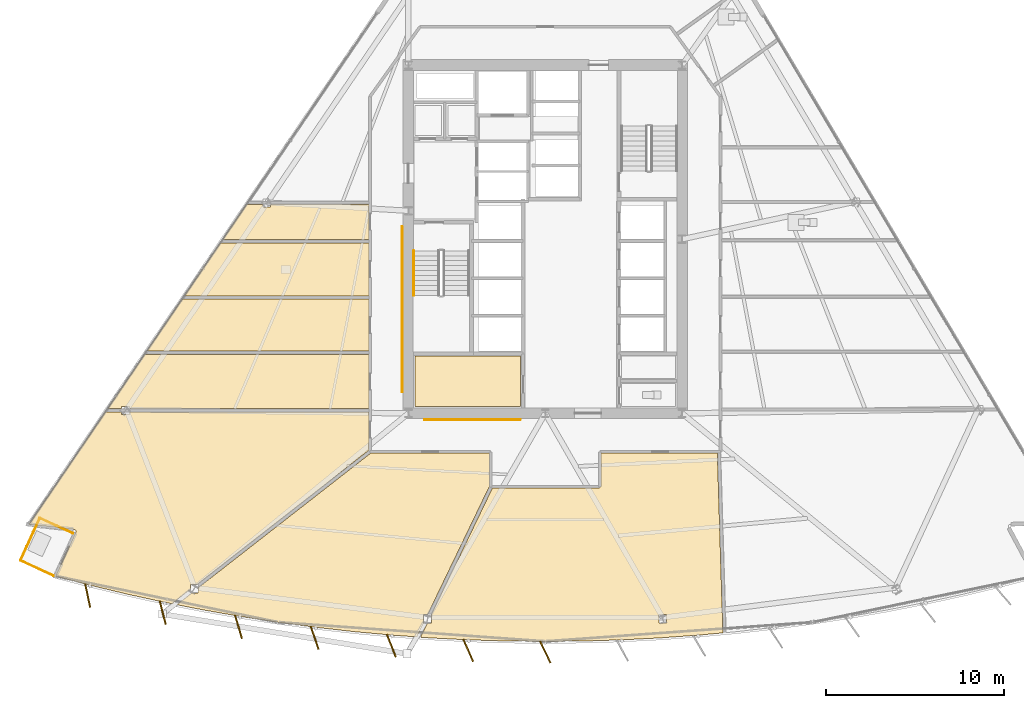
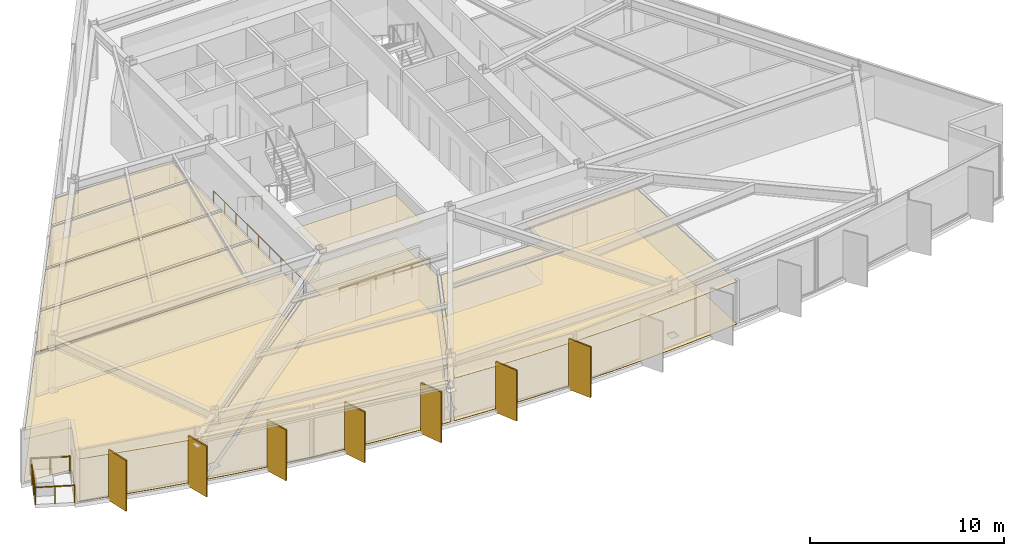
# One storey, part 13 of 17: 16 coverings, 7 shading devices, 6 railings.
"""IFC4 building model written with IfcOpenShell, lengths in metres."""

from ifc_helpers import new_model, si_unit, direction, frame, origin, origin_2d, place, context, subcontext, project, spatial, polyline, rectangle, circle, outline, extrude, material, layer, layer_set, type_object, element, save


model = new_model("IFC4")

# Units and contexts
model_context = context("Model", 3, precision=1e-05, world=origin(), true_north=direction((0.0, 1.0)))
body_context = subcontext(model_context, "Body", "Model", "MODEL_VIEW")
ifc_project = project(units=[si_unit("LENGTHUNIT", "METRE"), si_unit("AREAUNIT", "SQUARE_METRE"), si_unit("VOLUMEUNIT", "CUBIC_METRE"), si_unit("PLANEANGLEUNIT", "RADIAN"), si_unit("MASSUNIT", "GRAM", prefix="KILO")], contexts=[model_context])

# Site, building, storey
site_placement = place(None, origin())
site = spatial("IfcSite", under=ifc_project, at=site_placement, CompositionType="ELEMENT")
building_placement = place(site_placement, origin())
building = spatial("IfcBuilding", under=site, at=building_placement, Name="Savorim Split Tower", CompositionType="ELEMENT")
storey_placement = place(building_placement, frame((0.0, 0.0, 55.199951171875)))
storey = spatial("IfcBuildingStorey", under=building, at=storey_placement, Name="L14", CompositionType="ELEMENT", Elevation=55.199951171875)

# Coverings
ifc_material_1 = material(Name="Mineral Fibre Acoustic Ceiling")
ifc_layer_1 = layer(ifc_material_1, 0.02490234375)
ifc_layer_set_1 = layer_set([ifc_layer_1], Name="COV-CEIL-25")
covering_type_1 = type_object("IfcCoveringType", Name="COV-CEIL-25", PredefinedType="CEILING", material=ifc_layer_set_1)
covering_1_placement = place(storey_placement, frame((0.0, 0.0, 2.670166015625)))
element("IfcCovering", 1, at=covering_1_placement, inside=storey, type_object=covering_type_1, Name="L14 Housekeeping Store Acoustic Ceiling", PredefinedType="CEILING", context=body_context, shape_type="SweptSolid", body=[
    extrude(outline(polyline([(-7.320068359375, -6.179931640625), (-7.320068359375, -9.02001953125), (-1.3798828125, -9.02001953125), (-1.3798828125, -6.179931640625), (-7.320068359375, -6.179931640625)])), origin(), (0.0, 0.0, 1.0), 0.02490234375),
])
covering_2_placement = place(storey_placement, frame((0.0, 0.0, 2.670166015625)))
element("IfcCovering", 2, at=covering_2_placement, inside=storey, type_object=covering_type_1, Name="L14 Shared Kitchen Acoustic Ceiling", PredefinedType="CEILING", context=body_context, shape_type="SweptSolid", body=[
    extrude(outline(polyline([(-18.27001953125, 0.198974609375), (-20.301025390625, -2.78662109375), (-9.919921875, -2.78662109375), (-9.919921875, 0.198974609375), (-18.27001953125, 0.198974609375)])), origin(), (0.0, 0.0, 1.0), 0.02490234375),
])
covering_3_placement = place(storey_placement, frame((0.0, 0.0, 2.670166015625)))
element("IfcCovering", 3, at=covering_3_placement, inside=storey, type_object=covering_type_1, Name="L14 Quiet Study Room Acoustic Ceiling", PredefinedType="CEILING", context=body_context, shape_type="SweptSolid", body=[
    extrude(outline(polyline([(-20.43017578125, -2.9765625), (-22.4130859375, -5.89111328125), (-9.919921875, -5.89111328125), (-9.919921875, -2.9765625), (-20.43017578125, -2.9765625)])), origin(), (0.0, 0.0, 1.0), 0.02490234375),
])
covering_4_placement = place(storey_placement, frame((0.0, 0.0, 2.670166015625)))
element("IfcCovering", 4, at=covering_4_placement, inside=storey, type_object=covering_type_1, Name="L14 Quiet Study Room Acoustic Ceiling", PredefinedType="CEILING", context=body_context, shape_type="SweptSolid", body=[
    extrude(outline(polyline([(-23.395751953125, -9.0048828125), (-23.395751953125, -9.137451171875), (-9.919921875, -9.137451171875), (-9.919921875, -6.0810546875), (-22.542236328125, -6.0810546875), (-24.621337890625, -9.137451171875), (-23.827880859375, -9.137451171875), (-23.827880859375, -9.0048828125), (-23.395751953125, -9.0048828125)])), origin(), (0.0, 0.0, 1.0), 0.02490234375),
])
covering_5_placement = place(storey_placement, frame((0.0, 0.0, 2.670166015625)))
element("IfcCovering", 5, at=covering_5_placement, inside=storey, type_object=covering_type_1, Name="L14 Co-Working Commons Acoustic Ceiling", PredefinedType="CEILING", context=body_context, shape_type="SweptSolid", body=[
    extrude(outline(polyline([(-26.40380859375, -16.04541015625), (-26.40478515625, -16.057373046875), (-26.406982421875, -16.069091796875), (-26.410400390625, -16.08056640625), (-26.414794921875, -16.091552734375), (-27.549560546875, -18.561767578125), (-25.601806640625, -19.071044921875), (-23.50634765625, -19.573486328125), (-21.40087890625, -20.032958984375), (-20.913330078125, -20.12890625), (-20.951171875, -20.080322265625), (-19.96875, -19.313720703125), (-19.96875, -19.0380859375), (-19.615478515625, -19.0380859375), (-9.9462890625, -11.493896484375), (-9.919921875, -11.47314453125), (-9.919921875, -9.327392578125), (-23.395751953125, -9.327392578125), (-23.395751953125, -9.4599609375), (-23.827880859375, -9.4599609375), (-23.827880859375, -9.327392578125), (-24.62548828125, -9.327392578125), (-24.720703125, -9.327392578125), (-24.720703125, -9.283203125), (-29.04443359375, -15.639404296875), (-26.510498046875, -15.922119140625), (-26.498779296875, -15.92431640625), (-26.4873046875, -15.92724609375), (-26.47607421875, -15.931396484375), (-26.46533203125, -15.936767578125), (-26.455078125, -15.943115234375), (-26.44580078125, -15.9501953125), (-26.43701171875, -15.95849609375), (-26.42919921875, -15.967529296875), (-26.42236328125, -15.977294921875), (-26.41650390625, -15.98779296875), (-26.41162109375, -15.99853515625), (-26.407958984375, -16.010009765625), (-26.405517578125, -16.021484375), (-26.404052734375, -16.033447265625), (-26.40380859375, -16.04541015625)])), origin(), (0.0, 0.0, 1.0), 0.02490234375),
])
covering_6_placement = place(storey_placement, frame((0.0, 0.0, 2.670166015625)))
element("IfcCovering", 6, at=covering_6_placement, inside=storey, type_object=covering_type_1, Name="L14 Co-Working Commons Acoustic Ceiling", PredefinedType="CEILING", context=body_context, shape_type="SweptSolid", body=[
    extrude(outline(polyline([(-15.0341796875, -21.15185546875), (-12.898193359375, -21.4375), (-10.756591796875, -21.6796875), (-8.610595703125, -21.877685546875), (-7.2197265625, -21.9775390625), (-6.835205078125, -21.17919921875), (-6.836181640625, -21.17919921875), (-6.836181640625, -20.724365234375), (-6.615966796875, -20.724365234375), (-3.151611328125, -13.531982421875), (-3.133056640625, -13.493408203125), (-3.134033203125, -13.490478515625), (-3.13720703125, -13.477294921875), (-3.139404296875, -13.463623046875), (-3.139892578125, -13.449951171875), (-3.139892578125, -11.6201171875), (-9.780029296875, -11.6201171875), (-9.793701171875, -11.619384765625), (-9.797607421875, -11.61865234375), (-19.53662109375, -19.217529296875), (-19.53662109375, -19.4931640625), (-19.889892578125, -19.4931640625), (-20.74658203125, -20.161865234375), (-19.286376953125, -20.44921875), (-17.163818359375, -20.822265625), (-15.0341796875, -21.15185546875)])), origin(), (0.0, 0.0, 1.0), 0.02490234375),
])
covering_7_placement = place(storey_placement, frame((0.0, 0.0, 2.670166015625)))
element("IfcCovering", 7, at=covering_7_placement, inside=storey, type_object=covering_type_1, Name="L14 Co-Working Commons Acoustic Ceiling", PredefinedType="CEILING", context=body_context, shape_type="SweptSolid", body=[
    extrude(outline(polyline([(4.30908203125, -22.14208984375), (6.461181640625, -22.031982421875), (8.610595703125, -21.877685546875), (9.994140625, -21.75), (9.68505859375, -11.6201171875), (3.139892578125, -11.6201171875), (3.139892578125, -13.449951171875), (3.139404296875, -13.463623046875), (3.13720703125, -13.477294921875), (3.134033203125, -13.490478515625), (3.12939453125, -13.503662109375), (3.12353515625, -13.51611328125), (3.116455078125, -13.52783203125), (3.108154296875, -13.538818359375), (3.09912109375, -13.549072265625), (3.0888671875, -13.55810546875), (3.077880859375, -13.56640625), (3.06591796875, -13.573486328125), (3.0537109375, -13.579345703125), (3.04052734375, -13.583984375), (3.02734375, -13.58740234375), (3.013671875, -13.58935546875), (3.0, -13.590087890625), (-2.968505859375, -13.590087890625), (-6.405029296875, -20.724365234375), (-6.404296875, -20.724365234375), (-6.404296875, -21.17919921875), (-6.624267578125, -21.17919921875), (-7.0087890625, -21.977783203125), (-7.015869140625, -21.9921875), (-6.461181640625, -22.031982421875), (-4.30908203125, -22.14208984375), (-2.15478515625, -22.208251953125), (0.0, -22.23046875), (2.15478515625, -22.208251953125), (4.30908203125, -22.14208984375)]), holes=[polyline([(6.404296875, -21.17919921875), (6.836181640625, -21.17919921875), (6.836181640625, -20.724365234375), (6.404296875, -20.724365234375), (6.404296875, -21.17919921875)])]), origin(), (0.0, 0.0, 1.0), 0.02490234375),
])
covering_8_placement = place(storey_placement, frame((0.0, 0.0, 2.670166015625)))
element("IfcCovering", 8, at=covering_8_placement, inside=storey, type_object=covering_type_1, Name="L14 Co-Living Bedroom Acoustic Ceiling", PredefinedType="CEILING", context=body_context, shape_type="SweptSolid", body=[
    extrude(outline(polyline([(-15.883544921875, 2.3505859375), (-16.68115234375, 2.3505859375), (-16.776123046875, 2.3505859375), (-16.776123046875, 2.39501953125), (-18.140869140625, 0.388916015625), (-9.919921875, 0.388916015625), (-9.919921875, 2.3505859375), (-15.451416015625, 2.3505859375), (-15.451416015625, 2.21826171875), (-15.883544921875, 2.21826171875), (-15.883544921875, 2.3505859375)])), origin(), (0.0, 0.0, 1.0), 0.02490234375),
])
ifc_material_2 = material(Name="Porcelain Stoneware Flooring", Category="masonry")
ifc_layer_2 = layer(ifc_material_2, 0.02001953125)
ifc_layer_set_2 = layer_set([ifc_layer_2], Name="COV-FLOR-20")
covering_type_2 = type_object("IfcCoveringType", Name="COV-FLOR-20", PredefinedType="FLOORING", material=ifc_layer_set_2)
covering_9_placement = place(storey_placement, origin())
element("IfcCovering", 9, at=covering_9_placement, inside=storey, type_object=covering_type_2, Name="L14 Housekeeping Store Porcelain Flooring", PredefinedType="FLOORING", context=body_context, shape_type="SweptSolid", body=[
    extrude(outline(polyline([(-7.320068359375, -6.179931640625), (-7.320068359375, -9.02001953125), (-1.3798828125, -9.02001953125), (-1.3798828125, -6.179931640625), (-7.320068359375, -6.179931640625)])), origin(), (0.0, 0.0, 1.0), 0.02001953125),
])
covering_10_placement = place(storey_placement, origin())
element("IfcCovering", 10, at=covering_10_placement, inside=storey, type_object=covering_type_2, Name="L14 Shared Kitchen Porcelain Flooring", PredefinedType="FLOORING", context=body_context, shape_type="SweptSolid", body=[
    extrude(outline(polyline([(-18.27001953125, 0.198974609375), (-20.301025390625, -2.78662109375), (-9.919921875, -2.78662109375), (-9.919921875, 0.198974609375), (-18.27001953125, 0.198974609375)])), origin(), (0.0, 0.0, 1.0), 0.02001953125),
])
covering_11_placement = place(storey_placement, origin())
element("IfcCovering", 11, at=covering_11_placement, inside=storey, type_object=covering_type_2, Name="L14 Quiet Study Room Porcelain Flooring", PredefinedType="FLOORING", context=body_context, shape_type="SweptSolid", body=[
    extrude(outline(polyline([(-20.43017578125, -2.9765625), (-22.4130859375, -5.89111328125), (-9.919921875, -5.89111328125), (-9.919921875, -2.9765625), (-20.43017578125, -2.9765625)])), origin(), (0.0, 0.0, 1.0), 0.02001953125),
])
covering_12_placement = place(storey_placement, origin())
element("IfcCovering", 12, at=covering_12_placement, inside=storey, type_object=covering_type_2, Name="L14 Quiet Study Room Porcelain Flooring", PredefinedType="FLOORING", context=body_context, shape_type="SweptSolid", body=[
    extrude(outline(polyline([(-23.395751953125, -9.0048828125), (-23.395751953125, -9.137451171875), (-9.919921875, -9.137451171875), (-9.919921875, -6.0810546875), (-22.542236328125, -6.0810546875), (-24.621337890625, -9.137451171875), (-23.827880859375, -9.137451171875), (-23.827880859375, -9.0048828125), (-23.395751953125, -9.0048828125)])), origin(), (0.0, 0.0, 1.0), 0.02001953125),
])
covering_13_placement = place(storey_placement, origin())
element("IfcCovering", 13, at=covering_13_placement, inside=storey, type_object=covering_type_2, Name="L14 Co-Working Commons Porcelain Flooring", PredefinedType="FLOORING", context=body_context, shape_type="SweptSolid", body=[
    extrude(outline(polyline([(-26.40380859375, -16.04541015625), (-26.40478515625, -16.057373046875), (-26.406982421875, -16.069091796875), (-26.410400390625, -16.08056640625), (-26.414794921875, -16.091552734375), (-27.549560546875, -18.561767578125), (-25.601806640625, -19.071044921875), (-23.50634765625, -19.573486328125), (-21.40087890625, -20.032958984375), (-20.913330078125, -20.12890625), (-20.951171875, -20.080322265625), (-19.96875, -19.313720703125), (-19.96875, -19.0380859375), (-19.615478515625, -19.0380859375), (-9.9462890625, -11.493896484375), (-9.919921875, -11.47314453125), (-9.919921875, -9.327392578125), (-23.395751953125, -9.327392578125), (-23.395751953125, -9.4599609375), (-23.827880859375, -9.4599609375), (-23.827880859375, -9.327392578125), (-24.62548828125, -9.327392578125), (-24.720703125, -9.327392578125), (-24.720703125, -9.283203125), (-29.04443359375, -15.639404296875), (-26.510498046875, -15.922119140625), (-26.498779296875, -15.92431640625), (-26.4873046875, -15.92724609375), (-26.47607421875, -15.931396484375), (-26.46533203125, -15.936767578125), (-26.455078125, -15.943115234375), (-26.44580078125, -15.9501953125), (-26.43701171875, -15.95849609375), (-26.42919921875, -15.967529296875), (-26.42236328125, -15.977294921875), (-26.41650390625, -15.98779296875), (-26.41162109375, -15.99853515625), (-26.407958984375, -16.010009765625), (-26.405517578125, -16.021484375), (-26.404052734375, -16.033447265625), (-26.40380859375, -16.04541015625)])), origin(), (0.0, 0.0, 1.0), 0.02001953125),
])
covering_14_placement = place(storey_placement, origin())
element("IfcCovering", 14, at=covering_14_placement, inside=storey, type_object=covering_type_2, Name="L14 Co-Working Commons Porcelain Flooring", PredefinedType="FLOORING", context=body_context, shape_type="SweptSolid", body=[
    extrude(outline(polyline([(-15.0341796875, -21.15185546875), (-12.898193359375, -21.4375), (-10.756591796875, -21.6796875), (-8.610595703125, -21.877685546875), (-7.2197265625, -21.9775390625), (-6.835205078125, -21.17919921875), (-6.836181640625, -21.17919921875), (-6.836181640625, -20.724365234375), (-6.615966796875, -20.724365234375), (-3.151611328125, -13.531982421875), (-3.133056640625, -13.493408203125), (-3.134033203125, -13.490478515625), (-3.13720703125, -13.477294921875), (-3.139404296875, -13.463623046875), (-3.139892578125, -13.449951171875), (-3.139892578125, -11.6201171875), (-9.780029296875, -11.6201171875), (-9.793701171875, -11.619384765625), (-9.797607421875, -11.61865234375), (-19.53662109375, -19.217529296875), (-19.53662109375, -19.4931640625), (-19.889892578125, -19.4931640625), (-20.74658203125, -20.161865234375), (-19.286376953125, -20.44921875), (-17.163818359375, -20.822265625), (-15.0341796875, -21.15185546875)])), origin(), (0.0, 0.0, 1.0), 0.02001953125),
])
covering_15_placement = place(storey_placement, origin())
element("IfcCovering", 15, at=covering_15_placement, inside=storey, type_object=covering_type_2, Name="L14 Co-Working Commons Porcelain Flooring", PredefinedType="FLOORING", context=body_context, shape_type="SweptSolid", body=[
    extrude(outline(polyline([(4.30908203125, -22.14208984375), (6.461181640625, -22.031982421875), (8.610595703125, -21.877685546875), (9.994140625, -21.75), (9.68505859375, -11.6201171875), (3.139892578125, -11.6201171875), (3.139892578125, -13.449951171875), (3.139404296875, -13.463623046875), (3.13720703125, -13.477294921875), (3.134033203125, -13.490478515625), (3.12939453125, -13.503662109375), (3.12353515625, -13.51611328125), (3.116455078125, -13.52783203125), (3.108154296875, -13.538818359375), (3.09912109375, -13.549072265625), (3.0888671875, -13.55810546875), (3.077880859375, -13.56640625), (3.06591796875, -13.573486328125), (3.0537109375, -13.579345703125), (3.04052734375, -13.583984375), (3.02734375, -13.58740234375), (3.013671875, -13.58935546875), (3.0, -13.590087890625), (-2.968505859375, -13.590087890625), (-6.405029296875, -20.724365234375), (-6.404296875, -20.724365234375), (-6.404296875, -21.17919921875), (-6.624267578125, -21.17919921875), (-7.0087890625, -21.977783203125), (-7.015869140625, -21.9921875), (-6.461181640625, -22.031982421875), (-4.30908203125, -22.14208984375), (-2.15478515625, -22.208251953125), (0.0, -22.23046875), (2.15478515625, -22.208251953125), (4.30908203125, -22.14208984375)]), holes=[polyline([(6.404296875, -21.17919921875), (6.836181640625, -21.17919921875), (6.836181640625, -20.724365234375), (6.404296875, -20.724365234375), (6.404296875, -21.17919921875)])]), origin(), (0.0, 0.0, 1.0), 0.02001953125),
])
covering_16_placement = place(storey_placement, origin())
element("IfcCovering", 16, at=covering_16_placement, inside=storey, type_object=covering_type_2, Name="L14 Co-Living Bedroom Porcelain Flooring", PredefinedType="FLOORING", context=body_context, shape_type="SweptSolid", body=[
    extrude(outline(polyline([(-15.883544921875, 2.3505859375), (-16.68115234375, 2.3505859375), (-16.776123046875, 2.3505859375), (-16.776123046875, 2.39501953125), (-18.140869140625, 0.388916015625), (-9.919921875, 0.388916015625), (-9.919921875, 2.3505859375), (-15.451416015625, 2.3505859375), (-15.451416015625, 2.21826171875), (-15.883544921875, 2.21826171875), (-15.883544921875, 2.3505859375)])), origin(), (0.0, 0.0, 1.0), 0.02001953125),
])

# Railings
ifc_material_3 = material(Name="Galvanised Painted Steel Balustrade", Category="steel")
railing_type_1 = type_object("IfcRailingType", Name="RLG-BAL-1100", PredefinedType="BALUSTRADE", material=ifc_material_3)
railing_1_placement = place(storey_placement, frame((-27.668212890625, -18.53271484375, 0.0)))
element("IfcRailing", 17, at=railing_1_placement, inside=storey, type_object=railing_type_1, Name="L14 Tree Balcony Guardrail SW-1", PredefinedType="BALUSTRADE", context=body_context, shape_type="SweptSolid", body=[
    extrude(circle(Radius=0.02392578125, at=origin_2d()), frame((0.0, 0.0, 1.076171875), z_axis=(-0.908662190505, 0.417532062898, 0.0), x_axis=(-0.417532062898, -0.908662190505, 0.0)), (0.0, 0.0, 1.0), 2.050048828125),
    extrude(circle(Radius=0.02099609375, at=origin_2d()), origin(), (0.0, 0.0, 1.0), 1.052001953125),
    extrude(circle(Radius=0.02099609375, at=origin_2d()), frame((-0.931396484375, 0.427978515625, 0.0)), (0.0, 0.0, 1.0), 1.052001953125),
    extrude(circle(Radius=0.02099609375, at=origin_2d()), frame((-1.86279296875, 0.85595703125, 0.0)), (0.0, 0.0, 1.0), 1.052001953125),
])
railing_2_placement = place(storey_placement, frame((-29.531005859375, -17.6767578125, 0.0)))
element("IfcRailing", 18, at=railing_2_placement, inside=storey, type_object=railing_type_1, Name="L14 Tree Balcony Guardrail SW-2", PredefinedType="BALUSTRADE", context=body_context, shape_type="SweptSolid", body=[
    extrude(circle(Radius=0.02392578125, at=origin_2d()), frame((0.0, 0.0, 1.076171875), z_axis=(0.417427426683, 0.908710263754, 0.0), x_axis=(-0.908710263754, 0.417427426683, 0.0)), (0.0, 0.0, 1.0), 2.621337890625),
    extrude(circle(Radius=0.02099609375, at=origin_2d()), origin(), (0.0, 0.0, 1.0), 1.052001953125),
    extrude(circle(Radius=0.02099609375, at=origin_2d()), frame((0.36474609375, 0.7939453125, 0.0)), (0.0, 0.0, 1.0), 1.052001953125),
    extrude(circle(Radius=0.02099609375, at=origin_2d()), frame((0.7294921875, 1.588134765625, 0.0)), (0.0, 0.0, 1.0), 1.052001953125),
    extrude(circle(Radius=0.02099609375, at=origin_2d()), frame((1.09423828125, 2.382080078125, 0.0)), (0.0, 0.0, 1.0), 1.052001953125),
])
railing_3_placement = place(storey_placement, frame((-28.436767578125, -15.294677734375, 0.0)))
element("IfcRailing", 19, at=railing_3_placement, inside=storey, type_object=railing_type_1, Name="L14 Tree Balcony Guardrail SW-3", PredefinedType="BALUSTRADE", context=body_context, shape_type="SweptSolid", body=[
    extrude(circle(Radius=0.02392578125, at=origin_2d()), frame((0.0, 0.0, 1.076171875), z_axis=(0.908707369925, -0.417433726289, 0.0), x_axis=(0.417433726289, 0.908707369925, 0.0)), (0.0, 0.0, 1.0), 2.050048828125),
    extrude(circle(Radius=0.02099609375, at=origin_2d()), origin(), (0.0, 0.0, 1.0), 1.052001953125),
    extrude(circle(Radius=0.02099609375, at=origin_2d()), frame((0.931396484375, -0.427734375, 0.0)), (0.0, 0.0, 1.0), 1.052001953125),
    extrude(circle(Radius=0.02099609375, at=origin_2d()), frame((1.86279296875, -0.855712890625, 0.0)), (0.0, 0.0, 1.0), 1.052001953125),
])
railing_type_2 = type_object("IfcRailingType", Name="RLG-HR-900", PredefinedType="HANDRAIL", material=ifc_material_3)
railing_4_placement = place(storey_placement, frame((-7.39990234375, -0.25, 0.179931640625)))
element("IfcRailing", 20, at=railing_4_placement, inside=storey, type_object=railing_type_2, Name="L14 ST-1 stair handrail 1", PredefinedType="HANDRAIL", context=body_context, shape_type="SweptSolid", body=[
    extrude(circle(Radius=0.02392578125, at=origin_2d()), frame((0.0, 0.0, 0.8759765625), z_axis=(0.0, -0.841162588446, 0.540782303519), x_axis=(1.0, 0.0, 0.0)), (0.0, 0.0, 1.0), 2.995849609375),
    extrude(circle(Radius=0.02099609375, at=origin_2d()), origin(), (0.0, 0.0, 1.0), 0.851806640625),
    extrude(circle(Radius=0.02099609375, at=origin_2d()), frame((0.0, -0.840087890625, 0.5400390625)), (0.0, 0.0, 1.0), 0.851806640625),
    extrude(circle(Radius=0.02099609375, at=origin_2d()), frame((0.0, -1.679931640625, 1.080078125)), (0.0, 0.0, 1.0), 0.851806640625),
    extrude(circle(Radius=0.02099609375, at=origin_2d()), frame((0.0, -2.52001953125, 1.6201171875)), (0.0, 0.0, 1.0), 0.851806640625),
])
railing_5_placement = place(storey_placement, frame((-6.800048828125, -9.75, 0.0)))
element("IfcRailing", 21, at=railing_5_placement, inside=storey, type_object=railing_type_2, Name="L14 Corridor South Accessible Handrail", PredefinedType="HANDRAIL", context=body_context, shape_type="SweptSolid", body=[
    extrude(circle(Radius=0.02392578125, at=origin_2d()), frame((0.0, 0.0, 0.8759765625), z_axis=(1.0, 0.0, 0.0), x_axis=(0.0, 1.0, 0.0)), (0.0, 0.0, 1.0), 5.400146484375),
    extrude(circle(Radius=0.02099609375, at=origin_2d()), origin(), (0.0, 0.0, 1.0), 0.851806640625),
    extrude(circle(Radius=0.02099609375, at=origin_2d()), frame((1.080078125, 0.0, 0.0)), (0.0, 0.0, 1.0), 0.851806640625),
    extrude(circle(Radius=0.02099609375, at=origin_2d()), frame((2.16015625, 0.0, 0.0)), (0.0, 0.0, 1.0), 0.851806640625),
    extrude(circle(Radius=0.02099609375, at=origin_2d()), frame((3.239990234375, 0.0, 0.0)), (0.0, 0.0, 1.0), 0.851806640625),
    extrude(circle(Radius=0.02099609375, at=origin_2d()), frame((4.320068359375, 0.0, 0.0)), (0.0, 0.0, 1.0), 0.851806640625),
    extrude(circle(Radius=0.02099609375, at=origin_2d()), frame((5.400146484375, 0.0, 0.0)), (0.0, 0.0, 1.0), 0.851806640625),
])
railing_6_placement = place(storey_placement, frame((-8.050048828125, -8.199951171875, 0.0)))
element("IfcRailing", 22, at=railing_6_placement, inside=storey, type_object=railing_type_2, Name="L14 Corridor West Accessible Handrail", PredefinedType="HANDRAIL", context=body_context, shape_type="SweptSolid", body=[
    extrude(circle(Radius=0.02392578125, at=origin_2d()), frame((0.0, 0.0, 0.8759765625), z_axis=(0.0, 1.0, 0.0), x_axis=(-1.0, 0.0, 0.0)), (0.0, 0.0, 1.0), 9.300048828125),
    extrude(circle(Radius=0.02099609375, at=origin_2d()), origin(), (0.0, 0.0, 1.0), 0.851806640625),
    extrude(circle(Radius=0.02099609375, at=origin_2d()), frame((0.0, 1.16259765625, 0.0)), (0.0, 0.0, 1.0), 0.851806640625),
    extrude(circle(Radius=0.02099609375, at=origin_2d()), frame((0.0, 2.324951171875, 0.0)), (0.0, 0.0, 1.0), 0.851806640625),
    extrude(circle(Radius=0.02099609375, at=origin_2d()), frame((0.0, 3.487548828125, 0.0)), (0.0, 0.0, 1.0), 0.851806640625),
    extrude(circle(Radius=0.02099609375, at=origin_2d()), frame((0.0, 4.64990234375, 0.0)), (0.0, 0.0, 1.0), 0.851806640625),
    extrude(circle(Radius=0.02099609375, at=origin_2d()), frame((0.0, 5.8125, 0.0)), (0.0, 0.0, 1.0), 0.851806640625),
    extrude(circle(Radius=0.02099609375, at=origin_2d()), frame((0.0, 6.97509765625, 0.0)), (0.0, 0.0, 1.0), 0.851806640625),
    extrude(circle(Radius=0.02099609375, at=origin_2d()), frame((0.0, 8.137451171875, 0.0)), (0.0, 0.0, 1.0), 0.851806640625),
    extrude(circle(Radius=0.02099609375, at=origin_2d()), frame((0.0, 9.300048828125, 0.0)), (0.0, 0.0, 1.0), 0.851806640625),
])

# Shading devices
ifc_material_4 = material(Name="Terracotta Ceramic-Coated Aluminium Fin", Category="masonry")
shading_device_type = type_object("IfcShadingDeviceType", Name="SHD-FIN-1360", PredefinedType="USERDEFINED", material=ifc_material_4)
for number, where, z_axis, x_axis, name in (
    (23, (-25.746826171875, -19.649169921875, -0.19970703125), (0.0, 0.0, 1.0), (0.206721626106, -0.978399800337, 0.0), "L14 Sawtooth Shading Fin 01"),
    (24, (-21.52197265625, -20.61669921875, -0.19970703125), (0.0, 0.0, 1.0), (0.246581250663, -0.969122121727, 0.0), "L14 Sawtooth Shading Fin 02"),
    (25, (-17.260986328125, -21.410400390625, -0.19970703125), (0.0, 0.0, 1.0), (0.286026212504, -0.958221793616, 0.0), "L14 Sawtooth Shading Fin 03"),
    (26, (-12.97119140625, -22.029052734375, -0.19970703125), (0.0, 0.0, 1.0), (0.324993810493, -0.945716143005, 0.0), "L14 Sawtooth Shading Fin 04"),
    (27, (-8.659423828125, -22.4716796875, -0.19970703125), (0.0, 0.0, 1.0), (0.363415461732, -0.931627179817, 0.0), "L14 Sawtooth Shading Fin 05"),
    (28, (-4.33349609375, -22.73779296875, -0.19970703125), (0.0, 0.0, 1.0), (0.401230091723, -0.915977299662, 0.0), "L14 Sawtooth Shading Fin 06"),
    (29, (0.0, -22.826416015625, -0.19970703125), (0.0, 0.0, 1.0), (0.438371146789, -0.898794046299, 0.0), "L14 Sawtooth Shading Fin 07"),
):
    element("IfcShadingDevice", number, at=place(storey_placement, frame(where, z_axis=z_axis, x_axis=x_axis)), inside=storey, type_object=shading_device_type, Name=name, ObjectType="FIN", PredefinedType="USERDEFINED", context=body_context, shape_type="SweptSolid", body=[
        extrude(rectangle(XDim=1.360107421875, YDim=0.080078125, at=origin_2d()), origin(), (0.0, 0.0, 1.0), 3.199951171875),
    ])

save(model, "model.ifc")
